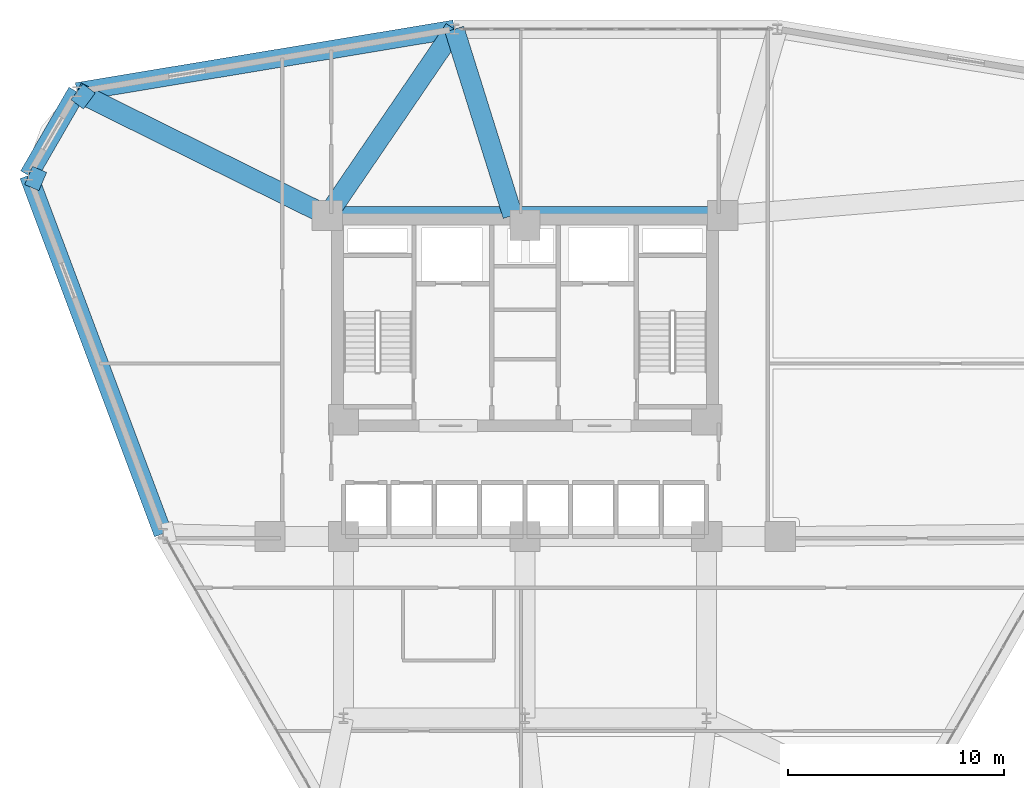
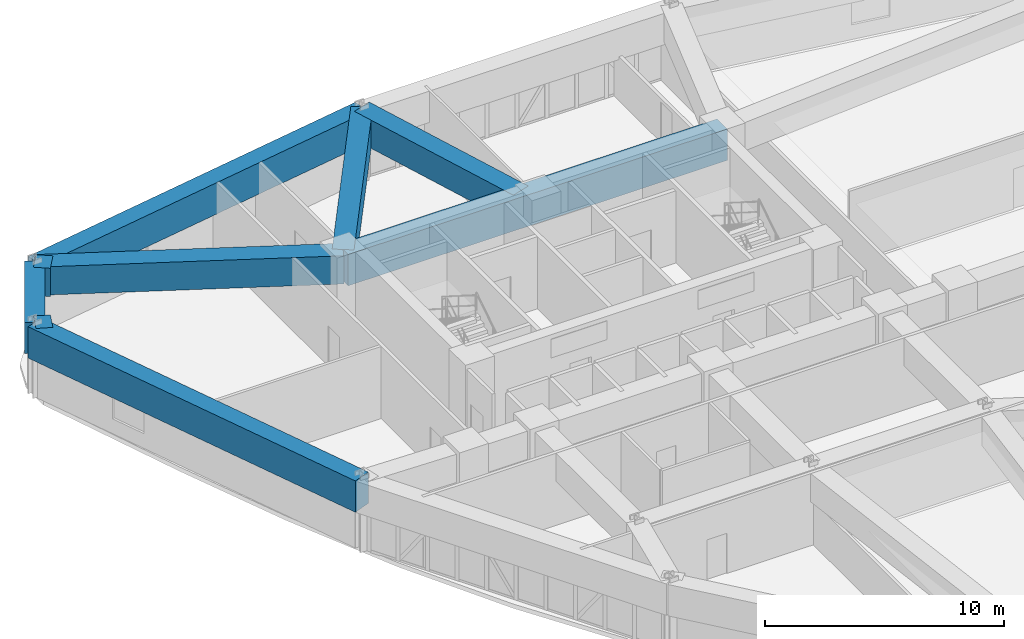
# One storey, part 8 of 17: 9 beams.
"""IFC4 building model written with IfcOpenShell, lengths in metres."""

from ifc_helpers import new_model, si_unit, derived_unit, direction, frame, origin, origin_2d, place, context, subcontext, project, spatial, rectangle, extrude, source, transform, mapped, material, material_profile, profile_set, type_object, element, save


model = new_model("IFC4")

# Units and contexts
model_context = context("Model", 3, precision=1e-05, world=origin(), true_north=direction((0.0, 1.0)))
body_context = subcontext(model_context, "Body", "Model", "MODEL_VIEW")
ifc_project = project(units=[si_unit("LENGTHUNIT", "METRE"), si_unit("AREAUNIT", "SQUARE_METRE"), si_unit("VOLUMEUNIT", "CUBIC_METRE"), si_unit("PLANEANGLEUNIT", "RADIAN"), si_unit("MASSUNIT", "GRAM", prefix="KILO"), derived_unit("THERMALTRANSMITTANCEUNIT", [(si_unit("POWERUNIT", "WATT"), 1), (si_unit("LENGTHUNIT", "METRE"), -2), (si_unit("THERMODYNAMICTEMPERATUREUNIT", "KELVIN"), -1)])], contexts=[model_context])

# Site, building, storey
site_placement = place(None, origin())
site = spatial("IfcSite", under=ifc_project, at=site_placement, CompositionType="ELEMENT")
building_placement = place(site_placement, origin())
building = spatial("IfcBuilding", under=site, at=building_placement, Name="Korsvarv Bourse and Concert Hall", CompositionType="ELEMENT")
storey_placement = place(building_placement, frame((0.0, 0.0, 83.39990234375)))
storey = spatial("IfcBuildingStorey", under=building, at=storey_placement, Name="L20", CompositionType="ELEMENT", Elevation=83.39990234375)

# Beams
ifc_material_1 = material(Name="Concrete C55/67", Category="concrete")
ifc_material_profile_1 = material_profile(ifc_material_1, rectangle(XDim=0.85009765625, YDim=1.60009765625, at=origin_2d()), Name="RC-BM 850x1600")
ifc_profile_set_1 = profile_set([ifc_material_profile_1], Name="Concrete C55/67")
beam_type_1 = type_object("IfcBeamType", Name="BM-TR1B", PredefinedType="BEAM", material=ifc_profile_set_1)
shared_shape_1 = source(origin(), body_context, "Body", "SweptSolid", [
    extrude(rectangle(XDim=0.85009765625, YDim=1.60009765625, at=origin_2d()), origin(), (0.0, 0.0, 1.0), 18.2998046875),
])
beam_1_placement = place(storey_placement, frame((26.85009765625, 47.25, 2.880126953125), z_axis=(1.0, 0.0, 0.0), x_axis=(0.0, 1.0, 0.0)))
element("IfcBeam", 1, at=beam_1_placement, inside=storey, type_object=beam_type_1, Name="L20 beam B-TR2", PredefinedType="BEAM", context=body_context, shape_type="MappedRepresentation", body=[
    mapped(shared_shape_1, transform((0.0, 0.0, 0.0), scale=1.0)),
])
shared_shape_2 = source(origin(), body_context, "Body", "SweptSolid", [
    extrude(rectangle(XDim=0.85009765625, YDim=1.60009765625, at=origin_2d()), origin(), (0.0, 0.0, 1.0), 17.69775390625),
])
for number, where, z_axis, x_axis, name in (
    (2, (32.731201171875, 55.86767578125, 2.880126953125), (-0.986522993276, -0.163622687109, 0.0), (0.163622687109, -0.986522993276, 0.0), "L20 beam B-TR2"),
    (3, (13.037841796875, 49.102294921875, 2.880126953125), (0.351563328241, -0.936164102194, 0.0), (0.936164102194, 0.351563328241, 0.0), "L20 beam B-TR2"),
):
    element("IfcBeam", number, at=place(storey_placement, frame(where, z_axis=z_axis, x_axis=x_axis)), inside=storey, type_object=beam_type_1, Name=name, PredefinedType="BEAM", context=body_context, shape_type="MappedRepresentation", body=[
        mapped(shared_shape_2, transform((0.0, 0.0, 0.0), scale=1.0)),
    ])
shared_shape_3 = source(origin(), body_context, "Body", "SweptSolid", [
    extrude(rectangle(XDim=0.85009765625, YDim=1.60009765625, at=origin_2d()), origin(), (0.0, 0.0, 1.0), 4.46826171875),
])
beam_2_placement = place(storey_placement, frame((15.27197265625, 52.971923828125, 2.880126953125), z_axis=(-0.499999927604, -0.866025445582, 0.0), x_axis=(0.866025445582, -0.499999927604, 0.0)))
element("IfcBeam", 4, at=beam_2_placement, inside=storey, type_object=beam_type_1, Name="L20 beam B-TR2", PredefinedType="BEAM", context=body_context, shape_type="MappedRepresentation", body=[
    mapped(shared_shape_3, transform((0.0, 0.0, 0.0), scale=1.0)),
])
ifc_material_2 = material(Name="Concrete C50/60", Category="concrete")
ifc_material_profile_2 = material_profile(ifc_material_2, rectangle(XDim=0.919921875, YDim=1.43994140625, at=origin_2d()), Name="RC-BM 920x1440")
ifc_profile_set_2 = profile_set([ifc_material_profile_2], Name="Concrete C50/60")
beam_type_2 = type_object("IfcBeamType", Name="BM-TR-144", PredefinedType="BEAM", material=ifc_profile_set_2)
shared_shape_4 = source(origin(), body_context, "Body", "SweptSolid", [
    extrude(rectangle(XDim=0.919921875, YDim=1.43994140625, at=origin_2d()), origin(), (0.0, 0.0, 1.0), 10.43310546875),
])
beam_3_placement = place(storey_placement, frame((32.731201171875, 55.86767578125, 2.960205078125), z_axis=(-0.563691111614, -0.825985672205, 0.0), x_axis=(0.825985672205, -0.563691111614, 0.0)))
element("IfcBeam", 5, at=beam_3_placement, inside=storey, type_object=beam_type_2, Name="L20 beam B-TR4", PredefinedType="BEAM", context=body_context, shape_type="MappedRepresentation", body=[
    mapped(shared_shape_4, transform((0.0, 0.0, 0.0), scale=1.0)),
])
shared_shape_5 = source(origin(), body_context, "Body", "SweptSolid", [
    extrude(rectangle(XDim=0.919921875, YDim=1.43994140625, at=origin_2d()), origin(), (0.0, 0.0, 1.0), 12.914794921875),
])
beam_4_placement = place(storey_placement, frame((15.27197265625, 52.971923828125, 2.960205078125), z_axis=(0.896496947443, -0.443049910535, 0.0), x_axis=(0.443049910535, 0.896496947443, 0.0)))
element("IfcBeam", 6, at=beam_4_placement, inside=storey, type_object=beam_type_2, Name="L20 beam B-TR4", PredefinedType="BEAM", context=body_context, shape_type="MappedRepresentation", body=[
    mapped(shared_shape_5, transform((0.0, 0.0, 0.0), scale=1.0)),
])
shared_shape_6 = source(origin(), body_context, "Body", "SweptSolid", [
    extrude(rectangle(XDim=0.919921875, YDim=1.43994140625, at=origin_2d()), origin(), (0.0, 0.0, 1.0), 0.71533203125),
])
for number, where, z_axis, x_axis, name in (
    (7, (15.27197265625, 52.971923828125, 2.960205078125), (0.801594211984, -0.597868479947, 0.0), (0.597868479947, 0.801594211984, 0.0), "L20 beam B-TR4"),
    (8, (13.037841796875, 49.102294921875, 2.960205078125), (0.91861469123, -0.395154462275, 0.0), (0.395154462275, 0.91861469123, 0.0), "L20 beam B-TR4"),
):
    element("IfcBeam", number, at=place(storey_placement, frame(where, z_axis=z_axis, x_axis=x_axis)), inside=storey, type_object=beam_type_2, Name=name, PredefinedType="BEAM", context=body_context, shape_type="MappedRepresentation", body=[
        mapped(shared_shape_6, transform((0.0, 0.0, 0.0), scale=1.0)),
    ])
shared_shape_7 = source(origin(), body_context, "Body", "SweptSolid", [
    extrude(rectangle(XDim=0.919921875, YDim=1.43994140625, at=origin_2d()), origin(), (0.0, 0.0, 1.0), 9.030517578125),
])
beam_5_placement = place(storey_placement, frame((32.731201171875, 55.86767578125, 2.960205078125), z_axis=(0.298899911111, -0.95428446657, 0.0), x_axis=(0.95428446657, 0.298899911111, 0.0)))
element("IfcBeam", 9, at=beam_5_placement, inside=storey, type_object=beam_type_2, Name="L20 beam B-TR4", PredefinedType="BEAM", context=body_context, shape_type="MappedRepresentation", body=[
    mapped(shared_shape_7, transform((0.0, 0.0, 0.0), scale=1.0)),
])

save(model, "model.ifc")
